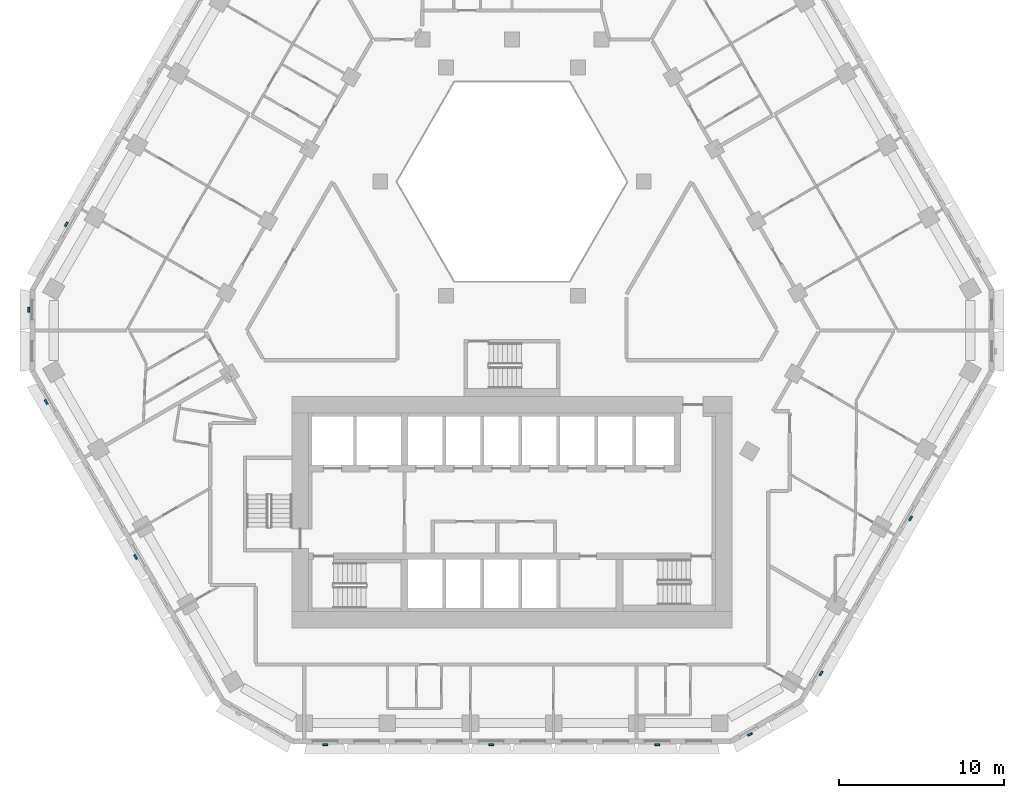
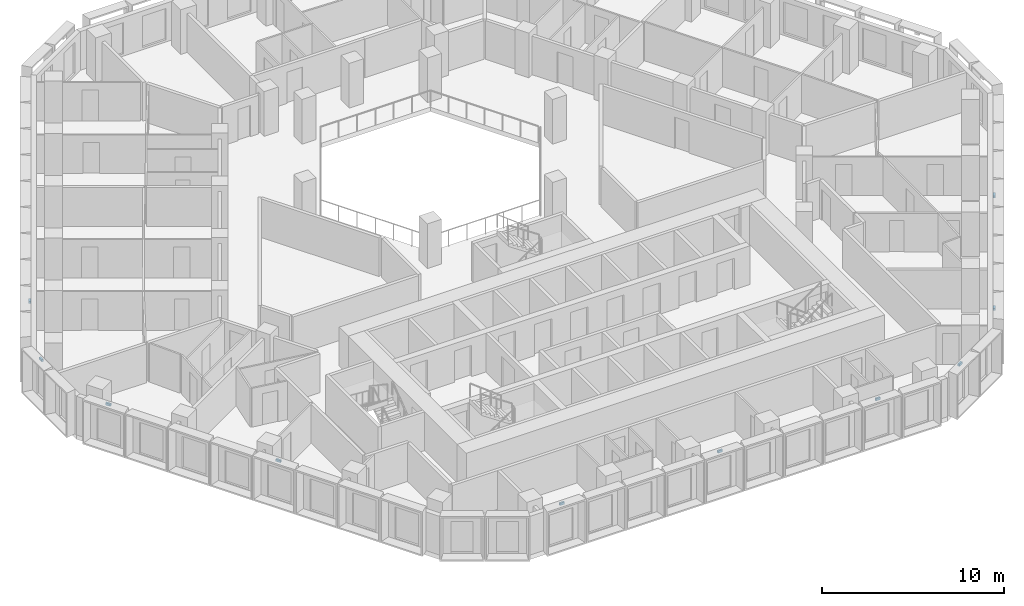
# One storey, part 11 of 18: 10 discrete accessories.
"""IFC4 building model written with IfcOpenShell, lengths in metres."""

from ifc_helpers import new_model, si_unit, direction, frame, origin, place, context, subcontext, project, spatial, polyline, outline, extrude, source, transform, mapped, material, type_object, type_shapes, element, save


model = new_model("IFC4")

# Units and contexts
model_context = context("Model", 3, precision=1e-05, world=origin(), true_north=direction((0.0, 1.0)))
body_context = subcontext(model_context, "Body", "Model", "MODEL_VIEW")
ifc_project = project(units=[si_unit("LENGTHUNIT", "METRE"), si_unit("AREAUNIT", "SQUARE_METRE"), si_unit("VOLUMEUNIT", "CUBIC_METRE"), si_unit("PLANEANGLEUNIT", "RADIAN"), si_unit("MASSUNIT", "GRAM", prefix="KILO")], contexts=[model_context])

# Site, building, storey
site_placement = place(None, origin())
site = spatial("IfcSite", under=ifc_project, at=site_placement, CompositionType="ELEMENT")
building_placement = place(site_placement, origin())
building = spatial("IfcBuilding", under=site, at=building_placement, Name="Beryl Residences", CompositionType="ELEMENT")
storey_placement = place(building_placement, frame((0.0, 0.0, 105.0)))
storey = spatial("IfcBuildingStorey", under=building, at=storey_placement, Name="L32", CompositionType="ELEMENT", Elevation=105.0)

# Discrete accessories
ifc_material = material(Name="Steel S355", Category="steel")
discrete_accessory_type = type_object("IfcDiscreteAccessoryType", Name="BR1 frame bracket 300 x 120 x 150 mm", PredefinedType="BRACKET", material=ifc_material)
shared_shape = source(origin(), body_context, "Body", "SweptSolid", [
    extrude(outline(polyline([(-0.14990234375, 0.0), (0.14990234375, 0.0), (0.14990234375, 0.1201171875), (-0.14990234375, 0.1201171875), (-0.14990234375, 0.0)])), origin(), (0.0, 0.0, 1.0), 0.14990234375),
])
type_shapes(discrete_accessory_type, [shared_shape])
for number, where, z_axis, x_axis, name in (
    (1, (-26.912109375, 5.387939453125, 2.75), (0.0, 0.0, 1.0), (0.5, 0.866025403784, 0.0), "BR1 bracket L32 NW 9"),
    (2, (-29.156982421875, 0.25, 2.75), (0.0, 0.0, 1.0), (0.0, 1.0, 0.0), "BR1 bracket L32 NW-SW 1"),
    (3, (-28.118896484375, -5.2958984375, 2.75), (0.0, 0.0, 1.0), (-0.5, 0.866025403784, 0.0), "BR1 bracket L32 SW 1"),
    (4, (-22.7060546875, -14.672119140625, 2.75), (0.0, 0.0, 1.0), (-0.5, 0.866025403784, 0.0), "BR1 bracket L32 SW 5"),
    (5, (-11.301025390625, -26.0, 2.75), (0.0, 0.0, 1.0), (-1.0, 0.0, 0.0), "BR1 bracket L32 S 1"),
    (6, (-1.2548828125, -26.0, 2.75), (0.0, 0.0, 1.0), (-1.0, 0.0, 0.0), "BR1 bracket L32 S 5"),
    (7, (8.791015625, -26.0, 2.75), (0.0, 0.0, 1.0), (-1.0, 0.0, 0.0), "BR1 bracket L32 S 9"),
    (8, (14.361083984375, -25.375, 2.75), (0.0, 0.0, 1.0), (-0.866025403784, -0.5, 0.0), "BR1 bracket L32 S-SE 1"),
    (9, (18.64697265625, -21.7041015625, 2.75), (0.0, 0.0, 1.0), (-0.5, -0.866025403784, 0.0), "BR1 bracket L32 SE 1"),
    (10, (24.06005859375, -12.327880859375, 2.75), (0.0, 0.0, 1.0), (-0.5, -0.866025403784, 0.0), "BR1 bracket L32 SE 5"),
):
    element("IfcDiscreteAccessory", number, at=place(storey_placement, frame(where, z_axis=z_axis, x_axis=x_axis)), inside=storey, type_object=discrete_accessory_type, Name=name, PredefinedType="BRACKET", context=body_context, shape_type="MappedRepresentation", body=[
        mapped(shared_shape, transform((0.0, 0.0, 0.0))),
    ])

save(model, "model.ifc")
